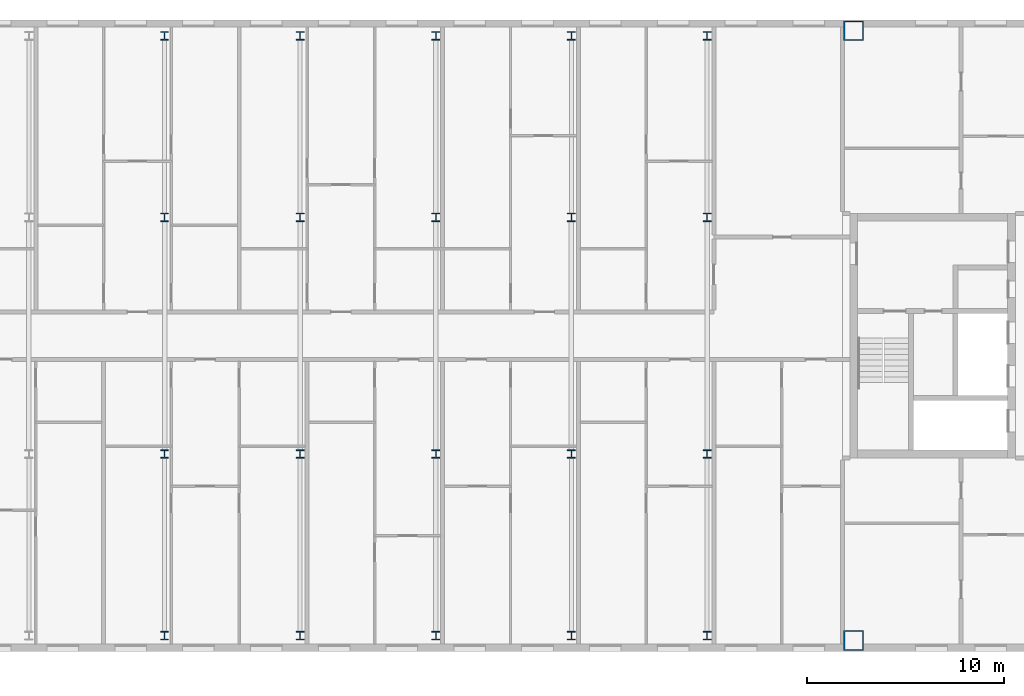
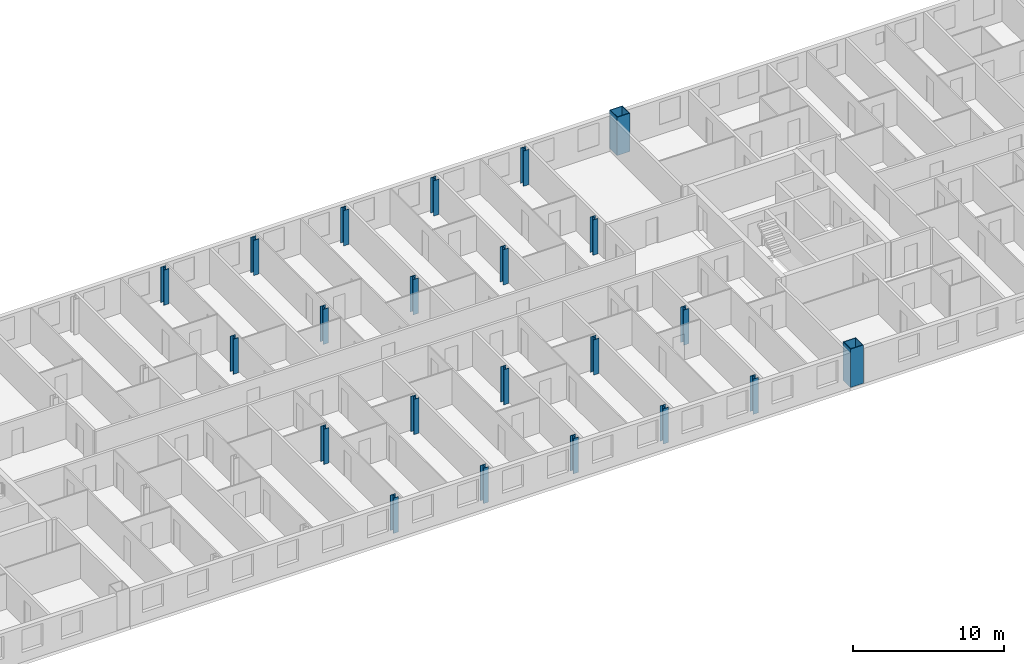
# One storey, part 2 of 19: 22 columns.
"""IFC4 building model written with IfcOpenShell, lengths in metres."""

from ifc_helpers import new_model, si_unit, direction, frame, origin, origin_2d, place, context, subcontext, project, spatial, hollow_rectangle, i_section, extrude, material, material_profile, profile_set, type_object, element, save


model = new_model("IFC4")

# Units and contexts
model_context = context("Model", 3, precision=1e-05, world=origin(), true_north=direction((0.0, 1.0)))
body_context = subcontext(model_context, "Body", "Model", "MODEL_VIEW")
ifc_project = project(units=[si_unit("LENGTHUNIT", "METRE"), si_unit("AREAUNIT", "SQUARE_METRE"), si_unit("VOLUMEUNIT", "CUBIC_METRE"), si_unit("PLANEANGLEUNIT", "RADIAN"), si_unit("MASSUNIT", "GRAM", prefix="KILO")], contexts=[model_context])

# Site, building, storey
site_placement = place(None, origin())
site = spatial("IfcSite", under=ifc_project, at=site_placement, CompositionType="ELEMENT")
building_placement = place(site_placement, origin())
building = spatial("IfcBuilding", under=site, at=building_placement, Name="Tuart Gate Housing", CompositionType="ELEMENT")
storey_placement = place(building_placement, frame((0.0, 0.0, 233.800048828125)))
storey = spatial("IfcBuildingStorey", under=building, at=storey_placement, Name="L66", CompositionType="ELEMENT", Elevation=233.800048828125)

# Columns
ifc_material_1 = material(Name="Steel Grade 350", Category="steel")
ifc_material_profile_1 = material_profile(ifc_material_1, i_section(OverallWidth=0.39990234375, OverallDepth=0.429931640625, WebThickness=0.028076171875, FlangeThickness=0.0400390625, at=origin_2d()), Name="400WC328")
ifc_profile_set_1 = profile_set([ifc_material_profile_1], Name="Steel Grade 350")
column_type_1 = type_object("IfcColumnType", Name="Link column 400 WC328", PredefinedType="COLUMN", material=ifc_profile_set_1)
for number, where, z_axis, x_axis, name in (
    (1, (96.625, 54.800048828125, 0.0), (0.0, 0.0, 1.0), (1.0, 0.0, 0.0), "Link column line 1 point 3 L66"),
    (2, (103.5, 54.800048828125, 0.0), (0.0, 0.0, 1.0), (1.0, 0.0, 0.0), "Link column line 1 point 4 L66"),
    (3, (110.375, 54.800048828125, 0.0), (0.0, 0.0, 1.0), (1.0, 0.0, 0.0), "Link column line 1 point 5 L66"),
    (4, (117.25, 54.800048828125, 0.0), (0.0, 0.0, 1.0), (1.0, 0.0, 0.0), "Link column line 1 point 6 L66"),
    (5, (124.125, 54.800048828125, 0.0), (0.0, 0.0, 1.0), (1.0, 0.0, 0.0), "Link column line 1 point 7 L66"),
    (6, (96.625, 64.0, 0.0), (0.0, 0.0, 1.0), (1.0, 0.0, 0.0), "Link column line 2 point 3 L66"),
    (7, (103.5, 64.0, 0.0), (0.0, 0.0, 1.0), (1.0, 0.0, 0.0), "Link column line 2 point 4 L66"),
    (8, (110.375, 64.0, 0.0), (0.0, 0.0, 1.0), (1.0, 0.0, 0.0), "Link column line 2 point 5 L66"),
    (9, (117.25, 64.0, 0.0), (0.0, 0.0, 1.0), (1.0, 0.0, 0.0), "Link column line 2 point 6 L66"),
    (10, (124.125, 64.0, 0.0), (0.0, 0.0, 1.0), (1.0, 0.0, 0.0), "Link column line 2 point 7 L66"),
    (11, (96.625, 76.0, 0.0), (0.0, 0.0, 1.0), (1.0, 0.0, 0.0), "Link column line 3 point 3 L66"),
    (12, (103.5, 76.0, 0.0), (0.0, 0.0, 1.0), (1.0, 0.0, 0.0), "Link column line 3 point 4 L66"),
    (13, (110.375, 76.0, 0.0), (0.0, 0.0, 1.0), (1.0, 0.0, 0.0), "Link column line 3 point 5 L66"),
    (14, (117.25, 76.0, 0.0), (0.0, 0.0, 1.0), (1.0, 0.0, 0.0), "Link column line 3 point 6 L66"),
    (15, (124.125, 76.0, 0.0), (0.0, 0.0, 1.0), (1.0, 0.0, 0.0), "Link column line 3 point 7 L66"),
    (16, (96.625, 85.199951171875, 0.0), (0.0, 0.0, 1.0), (1.0, 0.0, 0.0), "Link column line 4 point 3 L66"),
    (17, (103.5, 85.199951171875, 0.0), (0.0, 0.0, 1.0), (1.0, 0.0, 0.0), "Link column line 4 point 4 L66"),
    (18, (110.375, 85.199951171875, 0.0), (0.0, 0.0, 1.0), (1.0, 0.0, 0.0), "Link column line 4 point 5 L66"),
    (19, (117.25, 85.199951171875, 0.0), (0.0, 0.0, 1.0), (1.0, 0.0, 0.0), "Link column line 4 point 6 L66"),
    (20, (124.125, 85.199951171875, 0.0), (0.0, 0.0, 1.0), (1.0, 0.0, 0.0), "Link column line 4 point 7 L66"),
):
    element("IfcColumn", number, at=place(storey_placement, frame(where, z_axis=z_axis, x_axis=x_axis)), inside=storey, type_object=column_type_1, Name=name, PredefinedType="COLUMN", context=body_context, shape_type="SweptSolid", body=[
        extrude(i_section(OverallWidth=0.39990234375, OverallDepth=0.429931640625, WebThickness=0.028076171875, FlangeThickness=0.0400390625, at=origin_2d()), origin(), (0.0, 0.0, 1.0), 2.849853515625),
    ])
ifc_material_2 = material(Name="Steel Grade 350", Category="steel")
ifc_material_profile_2 = material_profile(ifc_material_2, hollow_rectangle(XDim=1.0, YDim=1.0, WallThickness=0.054931640625, at=origin_2d()), Name="BOX 1000x1000x55")
ifc_profile_set_2 = profile_set([ifc_material_profile_2], Name="Steel Grade 350")
column_type_2 = type_object("IfcColumnType", Name="Mega column BOX 1000x1000x55", PredefinedType="COLUMN", material=ifc_profile_set_2)
for number, where, z_axis, x_axis, name in (
    (21, (131.550048828125, 54.550048828125, 0.0), (0.0, 0.0, 1.0), (1.0, 0.0, 0.0), "Mega column B south-west L66"),
    (22, (131.550048828125, 85.449951171875, 0.0), (0.0, 0.0, 1.0), (1.0, 0.0, 0.0), "Mega column B north-west L66"),
):
    element("IfcColumn", number, at=place(storey_placement, frame(where, z_axis=z_axis, x_axis=x_axis)), inside=storey, type_object=column_type_2, Name=name, PredefinedType="COLUMN", context=body_context, shape_type="SweptSolid", body=[
        extrude(hollow_rectangle(XDim=1.0, YDim=1.0, WallThickness=0.054931640625, at=origin_2d()), origin(), (0.0, 0.0, 1.0), 3.099853515625),
    ])

save(model, "model.ifc")
